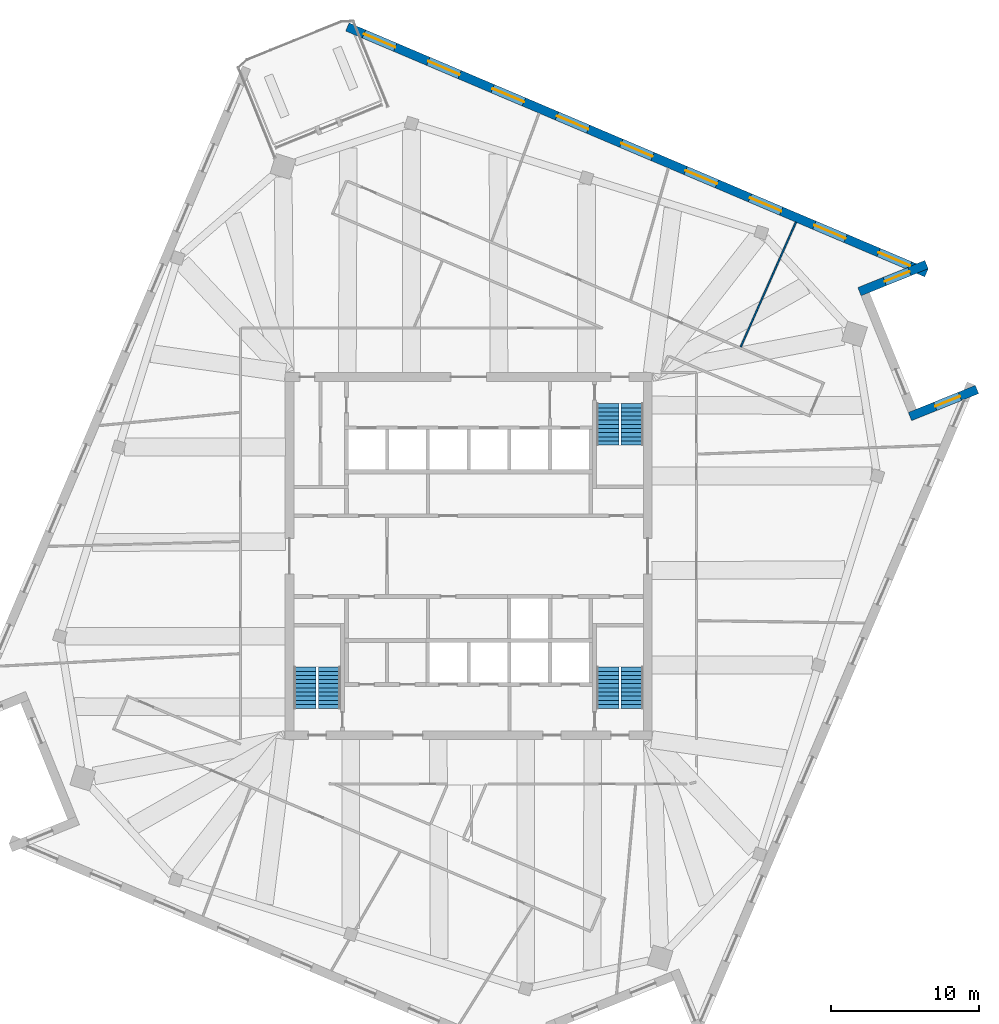
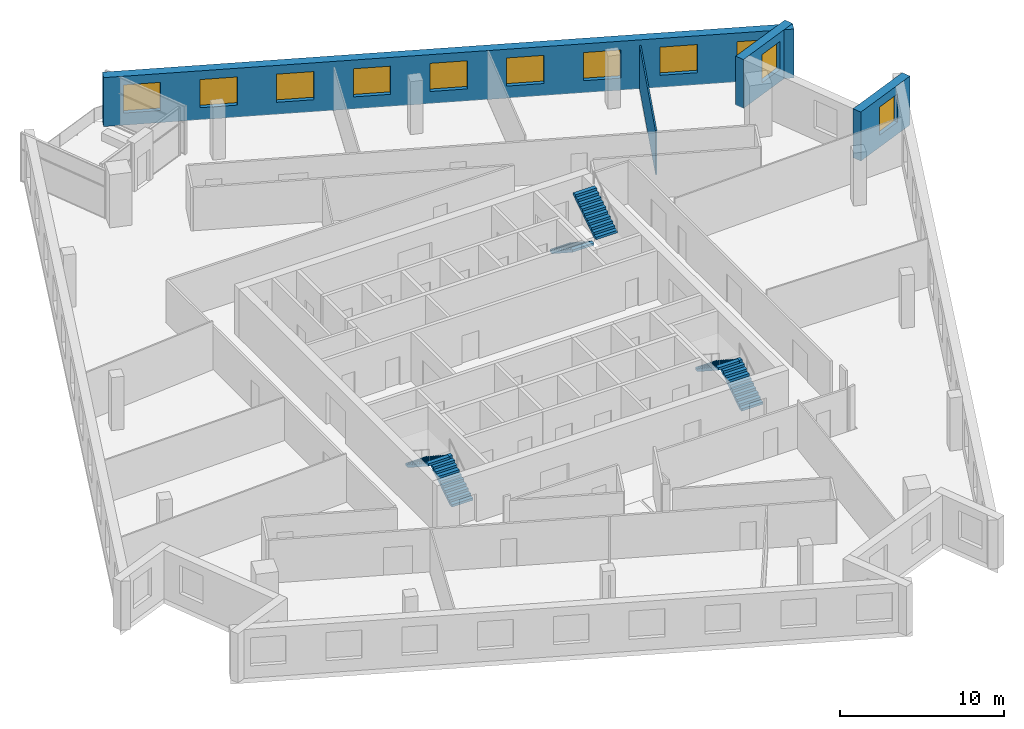
# One storey, part 11 of 13: 11 windows, 6 stair flights, 4 walls, 11 openings, 3 elements without a shape of their own.
"""IFC4 building model written with IfcOpenShell, lengths in metres."""

from ifc_helpers import new_model, si_unit, direction, frame, frame_2d, origin, place, context, subcontext, project, spatial, polyline, rectangle, outline, extrude, material, layer, layer_set, type_object, element, fill, aggregate, save


model = new_model("IFC4")

# Units and contexts
model_context = context("Model", 3, precision=1e-05, world=origin(), true_north=direction((0.0, 1.0)))
body_context = subcontext(model_context, "Body", "Model", "MODEL_VIEW")
ifc_project = project(units=[si_unit("LENGTHUNIT", "METRE"), si_unit("AREAUNIT", "SQUARE_METRE"), si_unit("VOLUMEUNIT", "CUBIC_METRE"), si_unit("PLANEANGLEUNIT", "RADIAN"), si_unit("MASSUNIT", "GRAM", prefix="KILO")], contexts=[model_context])

# Site, building, storey
site_placement = place(None, origin())
site = spatial("IfcSite", under=ifc_project, at=site_placement, CompositionType="ELEMENT")
building_placement = place(site_placement, origin())
building = spatial("IfcBuilding", under=site, at=building_placement, Name="Dilmun Exchange Tower", CompositionType="ELEMENT")
storey_placement = place(building_placement, frame((0.0, 0.0, 300.5)))
storey = spatial("IfcBuildingStorey", under=building, at=storey_placement, Name="L71", CompositionType="ELEMENT", Elevation=300.5)

# Wall
ifc_material_1 = material(Name="Partition 100")
ifc_layer_1 = layer(ifc_material_1, 0.10009765625)
ifc_layer_set_1 = layer_set([ifc_layer_1], Name="Partition 100")
wall_type_1 = type_object("IfcWallType", Name="Partition 100", PredefinedType="PARTITIONING", material=ifc_layer_set_1)
wall_1_placement = place(storey_placement, frame((18.378662109375, 14.13525390625, 0.0), z_axis=(0.0, 0.0, 1.0), x_axis=(0.405094962362, 0.91427461491, 0.0)))
element("IfcWall", 1, at=wall_1_placement, inside=storey, type_object=wall_type_1, Name="Partition", PredefinedType="PARTITIONING", context=body_context, shape_type="SweptSolid", body=[
    extrude(rectangle(XDim=9.20654296875, YDim=0.10009765625, at=frame_2d((4.603271484375, 0.0))), origin(), (0.0, 0.0, 1.0), 3.25),
])

# Wall, opening, window
ifc_material_2 = material(Name="Precast concrete C50/60", Category="concrete")
ifc_layer_2 = layer(ifc_material_2, 0.60009765625)
ifc_layer_set_2 = layer_set([ifc_layer_2], Name="Precast concrete C50/60")
wall_type_2 = type_object("IfcWallType", Name="Precast stone-clad wall 600", PredefinedType="STANDARD", material=ifc_layer_set_2)
wall_2_placement = place(storey_placement, frame((34.339599609375, 11.254638671875, 0.0), z_axis=(0.0, 0.0, 1.0), x_axis=(-0.927189106571, -0.374593593988, 0.0)))
wall_2 = element("IfcWall", 2, at=wall_2_placement, inside=storey, type_object=wall_type_2, Name="Facade wall L71-12", PredefinedType="STANDARD", context=body_context, shape_type="SweptSolid", body=[
    extrude(rectangle(XDim=4.885498046875, YDim=0.60009765625, at=frame_2d((2.44287109375, 0.0))), origin(), (0.0, 0.0, 1.0), 3.64990234375),
])
opening_1_placement = place(wall_2_placement, frame((1.242919921875, 0.0, 0.89990234375)))
opening_1 = element("IfcOpeningElement", 3, at=opening_1_placement, cuts=wall_2, Name="Opening W180-210", PredefinedType="OPENING", context=body_context, shape_type="SweptSolid", body=[
    extrude(rectangle(XDim=1.800048828125, YDim=2.10009765625, at=frame_2d((0.89990234375, 1.050048828125))), frame((0.0, 0.31005859375, 0.0), z_axis=(0.0, -1.0, 0.0), x_axis=(1.0, 0.0, 0.0)), (0.0, 0.0, 1.0), 0.6201171875),
])
ifc_material_3 = material(Name="Clear low-emissivity glass in aluminium frame", Category="aluminium")
window_type_1 = type_object("IfcWindowType", Name="Punched window 1800 x 2100", PartitioningType="DOUBLE_PANEL_VERTICAL", PredefinedType="WINDOW", material=ifc_material_3)
window_1_placement = place(opening_1_placement, origin())
window_1 = element("IfcWindow", 4, at=window_1_placement, inside=storey, type_object=window_type_1, Name="Window 13.1", OverallHeight=2.10009765625, OverallWidth=1.800048828125, PartitioningType="SINGLE_PANEL", PredefinedType="WINDOW", context=body_context, shape_type="SweptSolid", body=[
    extrude(rectangle(XDim=1.800048828125, YDim=2.10009765625, at=frame_2d((0.89990234375, 1.050048828125))), frame((0.0, 0.030029296875, 0.0), z_axis=(0.0, -1.0, 0.0), x_axis=(1.0, 0.0, 0.0)), (0.0, 0.0, 1.0), 0.06005859375),
])
fill(opening_1, window_1)

wall_3_placement = place(storey_placement, frame((26.40087890625, 17.86181640625, 0.0), z_axis=(0.0, 0.0, 1.0), x_axis=(0.927189106571, 0.374593593988, 0.0)))
wall_3 = element("IfcWall", 5, at=wall_3_placement, inside=storey, type_object=wall_type_2, Name="Facade wall L71-14", PredefinedType="STANDARD", context=body_context, shape_type="SweptSolid", body=[
    extrude(rectangle(XDim=4.885498046875, YDim=0.60009765625, at=frame_2d((2.44287109375, 0.0))), origin(), (0.0, 0.0, 1.0), 3.64990234375),
])
opening_2_placement = place(wall_3_placement, frame((1.8427734375, 0.0, 0.89990234375)))
opening_2 = element("IfcOpeningElement", 6, at=opening_2_placement, cuts=wall_3, Name="Opening W180-210", PredefinedType="OPENING", context=body_context, shape_type="SweptSolid", body=[
    extrude(rectangle(XDim=1.800048828125, YDim=2.10009765625, at=frame_2d((0.89990234375, 1.050048828125))), frame((0.0, 0.31005859375, 0.0), z_axis=(0.0, -1.0, 0.0), x_axis=(1.0, 0.0, 0.0)), (0.0, 0.0, 1.0), 0.6201171875),
])
window_2_placement = place(opening_2_placement, origin())
window_2 = element("IfcWindow", 7, at=window_2_placement, inside=storey, type_object=window_type_1, Name="Window 15.1", OverallHeight=2.10009765625, OverallWidth=1.800048828125, PartitioningType="SINGLE_PANEL", PredefinedType="WINDOW", context=body_context, shape_type="SweptSolid", body=[
    extrude(rectangle(XDim=1.800048828125, YDim=2.10009765625, at=frame_2d((0.89990234375, 1.050048828125))), frame((0.0, 0.030029296875, 0.0), z_axis=(0.0, -1.0, 0.0), x_axis=(1.0, 0.0, 0.0)), (0.0, 0.0, 1.0), 0.06005859375),
])
fill(opening_2, window_2)

# Wall, openings, windows
wall_4_placement = place(storey_placement, frame((30.92578125, 19.1376953125, 0.0), z_axis=(0.0, 0.0, 1.0), x_axis=(-0.920504263443, 0.390732518462, 0.0)))
wall_4 = element("IfcWall", 8, at=wall_4_placement, inside=storey, type_object=wall_type_2, Name="Facade wall L71-15", PredefinedType="STANDARD", context=body_context, shape_type="SweptSolid", body=[
    extrude(rectangle(XDim=42.489501953125, YDim=0.60009765625, at=frame_2d((21.24462890625, 0.0))), origin(), (0.0, 0.0, 1.0), 3.64990234375),
])
opening_3_placement = place(wall_4_placement, frame((1.21044921875, 0.0, 0.89990234375)))
opening_3 = element("IfcOpeningElement", 9, at=opening_3_placement, cuts=wall_4, Name="Opening W230-210", PredefinedType="OPENING", context=body_context, shape_type="SweptSolid", body=[
    extrude(rectangle(XDim=2.300048828125, YDim=2.10009765625, at=frame_2d((1.14990234375, 1.050048828125))), frame((0.0, 0.31005859375, 0.0), z_axis=(0.0, -1.0, 0.0), x_axis=(1.0, 0.0, 0.0)), (0.0, 0.0, 1.0), 0.6201171875),
])
opening_4_placement = place(wall_4_placement, frame((5.931640625, 0.0, 0.89990234375)))
opening_4 = element("IfcOpeningElement", 10, at=opening_4_placement, cuts=wall_4, Name="Opening W230-210", PredefinedType="OPENING", context=body_context, shape_type="SweptSolid", body=[
    extrude(rectangle(XDim=2.300048828125, YDim=2.10009765625, at=frame_2d((1.14990234375, 1.050048828125))), frame((0.0, 0.31005859375, 0.0), z_axis=(0.0, -1.0, 0.0), x_axis=(1.0, 0.0, 0.0)), (0.0, 0.0, 1.0), 0.6201171875),
])
opening_5_placement = place(wall_4_placement, frame((10.652587890625, 0.0, 0.89990234375)))
opening_5 = element("IfcOpeningElement", 11, at=opening_5_placement, cuts=wall_4, Name="Opening W230-210", PredefinedType="OPENING", context=body_context, shape_type="SweptSolid", body=[
    extrude(rectangle(XDim=2.300048828125, YDim=2.10009765625, at=frame_2d((1.14990234375, 1.050048828125))), frame((0.0, 0.31005859375, 0.0), z_axis=(0.0, -1.0, 0.0), x_axis=(1.0, 0.0, 0.0)), (0.0, 0.0, 1.0), 0.6201171875),
])
opening_6_placement = place(wall_4_placement, frame((15.373779296875, 0.0, 0.89990234375)))
opening_6 = element("IfcOpeningElement", 12, at=opening_6_placement, cuts=wall_4, Name="Opening W230-210", PredefinedType="OPENING", context=body_context, shape_type="SweptSolid", body=[
    extrude(rectangle(XDim=2.300048828125, YDim=2.10009765625, at=frame_2d((1.14990234375, 1.050048828125))), frame((0.0, 0.31005859375, 0.0), z_axis=(0.0, -1.0, 0.0), x_axis=(1.0, 0.0, 0.0)), (0.0, 0.0, 1.0), 0.6201171875),
])
opening_7_placement = place(wall_4_placement, frame((20.0947265625, 0.0, 0.89990234375)))
opening_7 = element("IfcOpeningElement", 13, at=opening_7_placement, cuts=wall_4, Name="Opening W230-210", PredefinedType="OPENING", context=body_context, shape_type="SweptSolid", body=[
    extrude(rectangle(XDim=2.300048828125, YDim=2.10009765625, at=frame_2d((1.14990234375, 1.050048828125))), frame((0.0, 0.31005859375, 0.0), z_axis=(0.0, -1.0, 0.0), x_axis=(1.0, 0.0, 0.0)), (0.0, 0.0, 1.0), 0.6201171875),
])
opening_8_placement = place(wall_4_placement, frame((24.81591796875, 0.0, 0.89990234375)))
opening_8 = element("IfcOpeningElement", 14, at=opening_8_placement, cuts=wall_4, Name="Opening W230-210", PredefinedType="OPENING", context=body_context, shape_type="SweptSolid", body=[
    extrude(rectangle(XDim=2.300048828125, YDim=2.10009765625, at=frame_2d((1.14990234375, 1.050048828125))), frame((0.0, 0.31005859375, 0.0), z_axis=(0.0, -1.0, 0.0), x_axis=(1.0, 0.0, 0.0)), (0.0, 0.0, 1.0), 0.6201171875),
])
opening_9_placement = place(wall_4_placement, frame((29.536865234375, 0.0, 0.89990234375)))
opening_9 = element("IfcOpeningElement", 15, at=opening_9_placement, cuts=wall_4, Name="Opening W230-210", PredefinedType="OPENING", context=body_context, shape_type="SweptSolid", body=[
    extrude(rectangle(XDim=2.300048828125, YDim=2.10009765625, at=frame_2d((1.14990234375, 1.050048828125))), frame((0.0, 0.31005859375, 0.0), z_axis=(0.0, -1.0, 0.0), x_axis=(1.0, 0.0, 0.0)), (0.0, 0.0, 1.0), 0.6201171875),
])
opening_10_placement = place(wall_4_placement, frame((34.258056640625, 0.0, 0.89990234375)))
opening_10 = element("IfcOpeningElement", 16, at=opening_10_placement, cuts=wall_4, Name="Opening W230-210", PredefinedType="OPENING", context=body_context, shape_type="SweptSolid", body=[
    extrude(rectangle(XDim=2.300048828125, YDim=2.10009765625, at=frame_2d((1.14990234375, 1.050048828125))), frame((0.0, 0.31005859375, 0.0), z_axis=(0.0, -1.0, 0.0), x_axis=(1.0, 0.0, 0.0)), (0.0, 0.0, 1.0), 0.6201171875),
])
opening_11_placement = place(wall_4_placement, frame((38.97900390625, 0.0, 0.89990234375)))
opening_11 = element("IfcOpeningElement", 17, at=opening_11_placement, cuts=wall_4, Name="Opening W230-210", PredefinedType="OPENING", context=body_context, shape_type="SweptSolid", body=[
    extrude(rectangle(XDim=2.300048828125, YDim=2.10009765625, at=frame_2d((1.14990234375, 1.050048828125))), frame((0.0, 0.31005859375, 0.0), z_axis=(0.0, -1.0, 0.0), x_axis=(1.0, 0.0, 0.0)), (0.0, 0.0, 1.0), 0.6201171875),
])
window_type_2 = type_object("IfcWindowType", Name="Punched window 2300 x 2100", PartitioningType="DOUBLE_PANEL_VERTICAL", PredefinedType="WINDOW", material=ifc_material_3)
window_3_placement = place(opening_3_placement, origin())
window_3 = element("IfcWindow", 18, at=window_3_placement, inside=storey, type_object=window_type_2, Name="Window 16.1", OverallHeight=2.10009765625, OverallWidth=2.300048828125, PartitioningType="SINGLE_PANEL", PredefinedType="WINDOW", context=body_context, shape_type="SweptSolid", body=[
    extrude(rectangle(XDim=2.300048828125, YDim=2.10009765625, at=frame_2d((1.14990234375, 1.050048828125))), frame((0.0, 0.030029296875, 0.0), z_axis=(0.0, -1.0, 0.0), x_axis=(1.0, 0.0, 0.0)), (0.0, 0.0, 1.0), 0.06005859375),
])
fill(opening_3, window_3)
window_4_placement = place(opening_4_placement, origin())
window_4 = element("IfcWindow", 19, at=window_4_placement, inside=storey, type_object=window_type_2, Name="Window 16.2", OverallHeight=2.10009765625, OverallWidth=2.300048828125, PartitioningType="SINGLE_PANEL", PredefinedType="WINDOW", context=body_context, shape_type="SweptSolid", body=[
    extrude(rectangle(XDim=2.300048828125, YDim=2.10009765625, at=frame_2d((1.14990234375, 1.050048828125))), frame((0.0, 0.030029296875, 0.0), z_axis=(0.0, -1.0, 0.0), x_axis=(1.0, 0.0, 0.0)), (0.0, 0.0, 1.0), 0.06005859375),
])
fill(opening_4, window_4)
window_5_placement = place(opening_5_placement, origin())
window_5 = element("IfcWindow", 20, at=window_5_placement, inside=storey, type_object=window_type_2, Name="Window 16.3", OverallHeight=2.10009765625, OverallWidth=2.300048828125, PartitioningType="SINGLE_PANEL", PredefinedType="WINDOW", context=body_context, shape_type="SweptSolid", body=[
    extrude(rectangle(XDim=2.300048828125, YDim=2.10009765625, at=frame_2d((1.14990234375, 1.050048828125))), frame((0.0, 0.030029296875, 0.0), z_axis=(0.0, -1.0, 0.0), x_axis=(1.0, 0.0, 0.0)), (0.0, 0.0, 1.0), 0.06005859375),
])
fill(opening_5, window_5)
window_6_placement = place(opening_6_placement, origin())
window_6 = element("IfcWindow", 21, at=window_6_placement, inside=storey, type_object=window_type_2, Name="Window 16.4", OverallHeight=2.10009765625, OverallWidth=2.300048828125, PartitioningType="SINGLE_PANEL", PredefinedType="WINDOW", context=body_context, shape_type="SweptSolid", body=[
    extrude(rectangle(XDim=2.300048828125, YDim=2.10009765625, at=frame_2d((1.14990234375, 1.050048828125))), frame((0.0, 0.030029296875, 0.0), z_axis=(0.0, -1.0, 0.0), x_axis=(1.0, 0.0, 0.0)), (0.0, 0.0, 1.0), 0.06005859375),
])
fill(opening_6, window_6)
window_7_placement = place(opening_7_placement, origin())
window_7 = element("IfcWindow", 22, at=window_7_placement, inside=storey, type_object=window_type_2, Name="Window 16.5", OverallHeight=2.10009765625, OverallWidth=2.300048828125, PartitioningType="SINGLE_PANEL", PredefinedType="WINDOW", context=body_context, shape_type="SweptSolid", body=[
    extrude(rectangle(XDim=2.300048828125, YDim=2.10009765625, at=frame_2d((1.14990234375, 1.050048828125))), frame((0.0, 0.030029296875, 0.0), z_axis=(0.0, -1.0, 0.0), x_axis=(1.0, 0.0, 0.0)), (0.0, 0.0, 1.0), 0.06005859375),
])
fill(opening_7, window_7)
window_8_placement = place(opening_8_placement, origin())
window_8 = element("IfcWindow", 23, at=window_8_placement, inside=storey, type_object=window_type_2, Name="Window 16.6", OverallHeight=2.10009765625, OverallWidth=2.300048828125, PartitioningType="SINGLE_PANEL", PredefinedType="WINDOW", context=body_context, shape_type="SweptSolid", body=[
    extrude(rectangle(XDim=2.300048828125, YDim=2.10009765625, at=frame_2d((1.14990234375, 1.050048828125))), frame((0.0, 0.030029296875, 0.0), z_axis=(0.0, -1.0, 0.0), x_axis=(1.0, 0.0, 0.0)), (0.0, 0.0, 1.0), 0.06005859375),
])
fill(opening_8, window_8)
window_9_placement = place(opening_9_placement, origin())
window_9 = element("IfcWindow", 24, at=window_9_placement, inside=storey, type_object=window_type_2, Name="Window 16.7", OverallHeight=2.10009765625, OverallWidth=2.300048828125, PartitioningType="SINGLE_PANEL", PredefinedType="WINDOW", context=body_context, shape_type="SweptSolid", body=[
    extrude(rectangle(XDim=2.300048828125, YDim=2.10009765625, at=frame_2d((1.14990234375, 1.050048828125))), frame((0.0, 0.030029296875, 0.0), z_axis=(0.0, -1.0, 0.0), x_axis=(1.0, 0.0, 0.0)), (0.0, 0.0, 1.0), 0.06005859375),
])
fill(opening_9, window_9)
window_10_placement = place(opening_10_placement, origin())
window_10 = element("IfcWindow", 25, at=window_10_placement, inside=storey, type_object=window_type_2, Name="Window 16.8", OverallHeight=2.10009765625, OverallWidth=2.300048828125, PartitioningType="SINGLE_PANEL", PredefinedType="WINDOW", context=body_context, shape_type="SweptSolid", body=[
    extrude(rectangle(XDim=2.300048828125, YDim=2.10009765625, at=frame_2d((1.14990234375, 1.050048828125))), frame((0.0, 0.030029296875, 0.0), z_axis=(0.0, -1.0, 0.0), x_axis=(1.0, 0.0, 0.0)), (0.0, 0.0, 1.0), 0.06005859375),
])
fill(opening_10, window_10)
window_11_placement = place(opening_11_placement, origin())
window_11 = element("IfcWindow", 26, at=window_11_placement, inside=storey, type_object=window_type_2, Name="Window 16.9", OverallHeight=2.10009765625, OverallWidth=2.300048828125, PartitioningType="SINGLE_PANEL", PredefinedType="WINDOW", context=body_context, shape_type="SweptSolid", body=[
    extrude(rectangle(XDim=2.300048828125, YDim=2.10009765625, at=frame_2d((1.14990234375, 1.050048828125))), frame((0.0, 0.030029296875, 0.0), z_axis=(0.0, -1.0, 0.0), x_axis=(1.0, 0.0, 0.0)), (0.0, 0.0, 1.0), 0.06005859375),
])
fill(opening_11, window_11)

# Stair, stair flights
ifc_material_4 = material(Name="Concrete C40/50", Category="concrete")
stair_type = type_object("IfcStairType", Name="Exit stair 1500 half-turn", PredefinedType="HALF_TURN_STAIR", material=ifc_material_4)
stair_1_placement = place(storey_placement, origin())
stair_1 = element("IfcStair", 27, at=stair_1_placement, inside=storey, type_object=stair_type, Name="L71 Protected exit stair ST1", PredefinedType="HALF_TURN_STAIR")
stair_flight_type = type_object("IfcStairFlightType", Name="Exit stair flight 1500", PredefinedType="STRAIGHT", material=ifc_material_4)
stair_flight_1_placement = place(storey_placement, frame((9.39990234375, 10.300048828125, 0.0), z_axis=(0.0, 0.0, 1.0), x_axis=(0.0, -1.0, 0.0)))
stair_flight_1 = element("IfcStairFlight", 28, at=stair_flight_1_placement, type_object=stair_flight_type, Name="ST1 flight 1", NumberOfRisers=11, NumberOfTreads=10, PredefinedType="STRAIGHT", RiserHeight=0.181818182, TreadLength=0.28, context=body_context, shape_type="SweptSolid", body=[
    extrude(outline(polyline([(0.0, 0.0), (0.0, 0.181884765625), (0.280029296875, 0.181884765625), (0.280029296875, 0.363525390625), (0.56005859375, 0.363525390625), (0.56005859375, 0.54541015625), (0.840087890625, 0.54541015625), (0.840087890625, 0.727294921875), (1.1201171875, 0.727294921875), (1.1201171875, 0.9091796875), (1.39990234375, 0.9091796875), (1.39990234375, 1.0908203125), (1.679931640625, 1.0908203125), (1.679931640625, 1.272705078125), (1.9599609375, 1.272705078125), (1.9599609375, 1.45458984375), (2.239990234375, 1.45458984375), (2.239990234375, 1.636474609375), (2.52001953125, 1.636474609375), (2.52001953125, 1.818115234375), (2.800048828125, 1.818115234375), (2.800048828125, 2.0), (2.800048828125, 1.639404296875), (0.275146484375, 0.0), (0.0, 0.0)])), frame((0.0, 0.75, 0.0), z_axis=(0.0, -1.0, 0.0), x_axis=(1.0, 0.0, 0.0)), (0.0, 0.0, 1.0), 1.5),
])
stair_flight_2_placement = place(storey_placement, frame((11.050048828125, 7.5, 2.0), z_axis=(0.0, 0.0, 1.0), x_axis=(0.0, 1.0, 0.0)))
stair_flight_2 = element("IfcStairFlight", 29, at=stair_flight_2_placement, type_object=stair_flight_type, Name="ST1 flight 2", NumberOfRisers=11, NumberOfTreads=10, PredefinedType="STRAIGHT", RiserHeight=0.181818182, TreadLength=0.28, context=body_context, shape_type="SweptSolid", body=[
    extrude(outline(polyline([(0.0, 0.0), (0.0, 0.181884765625), (0.280029296875, 0.181884765625), (0.280029296875, 0.363525390625), (0.56005859375, 0.363525390625), (0.56005859375, 0.54541015625), (0.840087890625, 0.54541015625), (0.840087890625, 0.727294921875), (1.1201171875, 0.727294921875), (1.1201171875, 0.9091796875), (1.39990234375, 0.9091796875), (1.39990234375, 1.0908203125), (1.679931640625, 1.0908203125), (1.679931640625, 1.272705078125), (1.9599609375, 1.272705078125), (1.9599609375, 1.45458984375), (2.239990234375, 1.45458984375), (2.239990234375, 1.636474609375), (2.52001953125, 1.636474609375), (2.52001953125, 1.818115234375), (2.800048828125, 1.818115234375), (2.800048828125, 2.0), (2.800048828125, 1.639404296875), (0.275146484375, 0.0), (0.0, 0.0)])), frame((0.0, 0.75, 0.0), z_axis=(0.0, -1.0, 0.0), x_axis=(1.0, 0.0, 0.0)), (0.0, 0.0, 1.0), 1.5),
])
aggregate(stair_1, [stair_flight_1, stair_flight_2])

stair_2_placement = place(storey_placement, origin())
stair_2 = element("IfcStair", 30, at=stair_2_placement, inside=storey, type_object=stair_type, Name="L71 Protected exit stair ST2", PredefinedType="HALF_TURN_STAIR")
stair_flight_3_placement = place(storey_placement, frame((-9.39990234375, -10.300048828125, 0.0), z_axis=(0.0, 0.0, 1.0), x_axis=(0.0, 1.0, 0.0)))
stair_flight_3 = element("IfcStairFlight", 31, at=stair_flight_3_placement, type_object=stair_flight_type, Name="ST2 flight 1", NumberOfRisers=11, NumberOfTreads=10, PredefinedType="STRAIGHT", RiserHeight=0.181818182, TreadLength=0.28, context=body_context, shape_type="SweptSolid", body=[
    extrude(outline(polyline([(0.0, 0.0), (0.0, 0.181884765625), (0.280029296875, 0.181884765625), (0.280029296875, 0.363525390625), (0.56005859375, 0.363525390625), (0.56005859375, 0.54541015625), (0.840087890625, 0.54541015625), (0.840087890625, 0.727294921875), (1.1201171875, 0.727294921875), (1.1201171875, 0.9091796875), (1.39990234375, 0.9091796875), (1.39990234375, 1.0908203125), (1.679931640625, 1.0908203125), (1.679931640625, 1.272705078125), (1.9599609375, 1.272705078125), (1.9599609375, 1.45458984375), (2.239990234375, 1.45458984375), (2.239990234375, 1.636474609375), (2.52001953125, 1.636474609375), (2.52001953125, 1.818115234375), (2.800048828125, 1.818115234375), (2.800048828125, 2.0), (2.800048828125, 1.639404296875), (0.275146484375, 0.0), (0.0, 0.0)])), frame((0.0, 0.75, 0.0), z_axis=(0.0, -1.0, 0.0), x_axis=(1.0, 0.0, 0.0)), (0.0, 0.0, 1.0), 1.5),
])
stair_flight_4_placement = place(storey_placement, frame((-11.050048828125, -7.5, 2.0), z_axis=(0.0, 0.0, 1.0), x_axis=(0.0, -1.0, 0.0)))
stair_flight_4 = element("IfcStairFlight", 32, at=stair_flight_4_placement, type_object=stair_flight_type, Name="ST2 flight 2", NumberOfRisers=11, NumberOfTreads=10, PredefinedType="STRAIGHT", RiserHeight=0.181818182, TreadLength=0.28, context=body_context, shape_type="SweptSolid", body=[
    extrude(outline(polyline([(0.0, 0.0), (0.0, 0.181884765625), (0.280029296875, 0.181884765625), (0.280029296875, 0.363525390625), (0.56005859375, 0.363525390625), (0.56005859375, 0.54541015625), (0.840087890625, 0.54541015625), (0.840087890625, 0.727294921875), (1.1201171875, 0.727294921875), (1.1201171875, 0.9091796875), (1.39990234375, 0.9091796875), (1.39990234375, 1.0908203125), (1.679931640625, 1.0908203125), (1.679931640625, 1.272705078125), (1.9599609375, 1.272705078125), (1.9599609375, 1.45458984375), (2.239990234375, 1.45458984375), (2.239990234375, 1.636474609375), (2.52001953125, 1.636474609375), (2.52001953125, 1.818115234375), (2.800048828125, 1.818115234375), (2.800048828125, 2.0), (2.800048828125, 1.639404296875), (0.275146484375, 0.0), (0.0, 0.0)])), frame((0.0, 0.75, 0.0), z_axis=(0.0, -1.0, 0.0), x_axis=(1.0, 0.0, 0.0)), (0.0, 0.0, 1.0), 1.5),
])
aggregate(stair_2, [stair_flight_3, stair_flight_4])

stair_3_placement = place(storey_placement, origin())
stair_3 = element("IfcStair", 33, at=stair_3_placement, inside=storey, type_object=stair_type, Name="L71 Protected exit stair ST3", PredefinedType="HALF_TURN_STAIR")
stair_flight_5_placement = place(storey_placement, frame((11.050048828125, -10.300048828125, 0.0), z_axis=(0.0, 0.0, 1.0), x_axis=(0.0, 1.0, 0.0)))
stair_flight_5 = element("IfcStairFlight", 34, at=stair_flight_5_placement, type_object=stair_flight_type, Name="ST3 flight 1", NumberOfRisers=11, NumberOfTreads=10, PredefinedType="STRAIGHT", RiserHeight=0.181818182, TreadLength=0.28, context=body_context, shape_type="SweptSolid", body=[
    extrude(outline(polyline([(0.0, 0.0), (0.0, 0.181884765625), (0.280029296875, 0.181884765625), (0.280029296875, 0.363525390625), (0.56005859375, 0.363525390625), (0.56005859375, 0.54541015625), (0.840087890625, 0.54541015625), (0.840087890625, 0.727294921875), (1.1201171875, 0.727294921875), (1.1201171875, 0.9091796875), (1.39990234375, 0.9091796875), (1.39990234375, 1.0908203125), (1.679931640625, 1.0908203125), (1.679931640625, 1.272705078125), (1.9599609375, 1.272705078125), (1.9599609375, 1.45458984375), (2.239990234375, 1.45458984375), (2.239990234375, 1.636474609375), (2.52001953125, 1.636474609375), (2.52001953125, 1.818115234375), (2.800048828125, 1.818115234375), (2.800048828125, 2.0), (2.800048828125, 1.639404296875), (0.275146484375, 0.0), (0.0, 0.0)])), frame((0.0, 0.75, 0.0), z_axis=(0.0, -1.0, 0.0), x_axis=(1.0, 0.0, 0.0)), (0.0, 0.0, 1.0), 1.5),
])
stair_flight_6_placement = place(storey_placement, frame((9.39990234375, -7.5, 2.0), z_axis=(0.0, 0.0, 1.0), x_axis=(0.0, -1.0, 0.0)))
stair_flight_6 = element("IfcStairFlight", 35, at=stair_flight_6_placement, type_object=stair_flight_type, Name="ST3 flight 2", NumberOfRisers=11, NumberOfTreads=10, PredefinedType="STRAIGHT", RiserHeight=0.181818182, TreadLength=0.28, context=body_context, shape_type="SweptSolid", body=[
    extrude(outline(polyline([(0.0, 0.0), (0.0, 0.181884765625), (0.280029296875, 0.181884765625), (0.280029296875, 0.363525390625), (0.56005859375, 0.363525390625), (0.56005859375, 0.54541015625), (0.840087890625, 0.54541015625), (0.840087890625, 0.727294921875), (1.1201171875, 0.727294921875), (1.1201171875, 0.9091796875), (1.39990234375, 0.9091796875), (1.39990234375, 1.0908203125), (1.679931640625, 1.0908203125), (1.679931640625, 1.272705078125), (1.9599609375, 1.272705078125), (1.9599609375, 1.45458984375), (2.239990234375, 1.45458984375), (2.239990234375, 1.636474609375), (2.52001953125, 1.636474609375), (2.52001953125, 1.818115234375), (2.800048828125, 1.818115234375), (2.800048828125, 2.0), (2.800048828125, 1.639404296875), (0.275146484375, 0.0), (0.0, 0.0)])), frame((0.0, 0.75, 0.0), z_axis=(0.0, -1.0, 0.0), x_axis=(1.0, 0.0, 0.0)), (0.0, 0.0, 1.0), 1.5),
])
aggregate(stair_3, [stair_flight_5, stair_flight_6])

save(model, "model.ifc")
